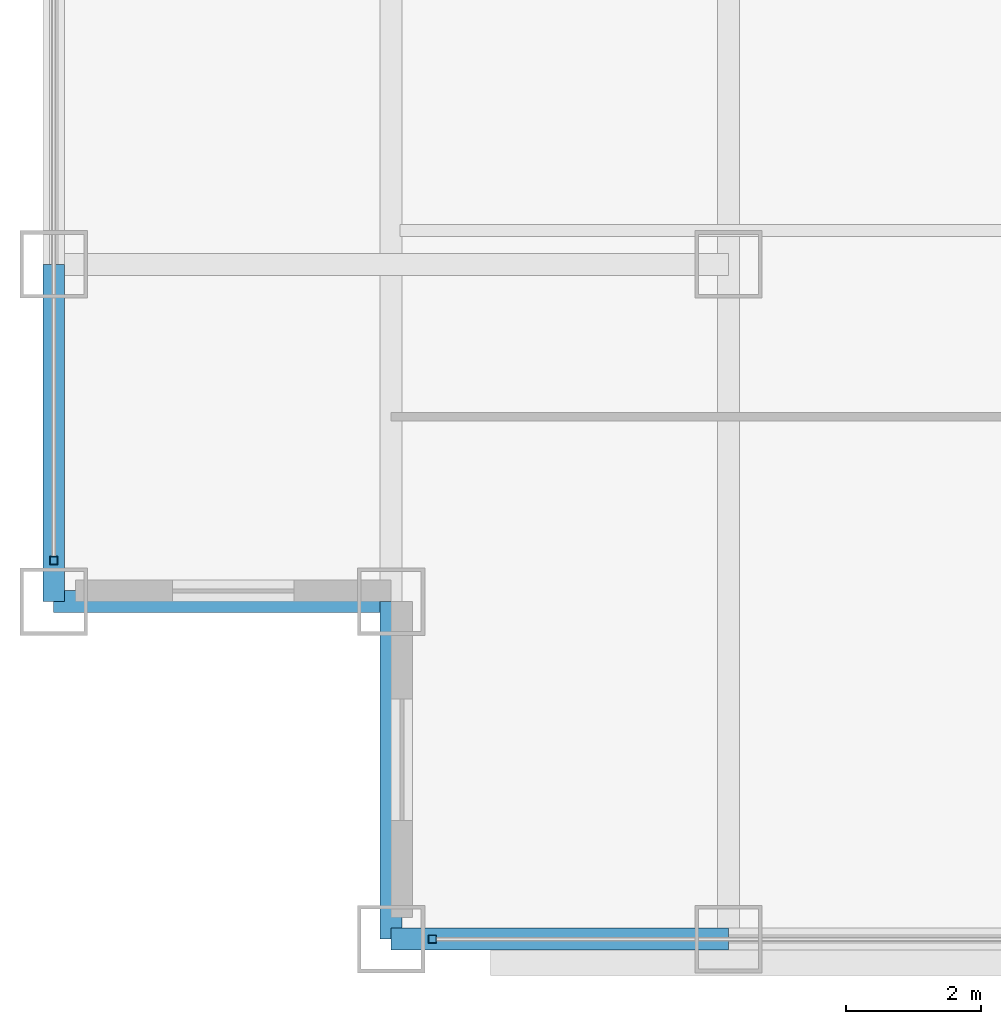
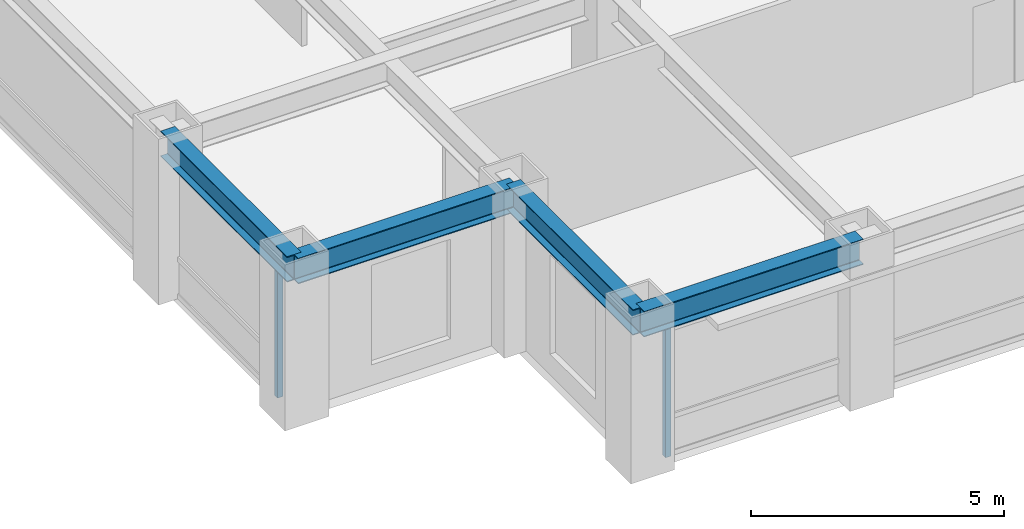
# One storey, part 2 of 29: 4 beams, 2 members, 2 elements without a shape of their own.
"""IFC4 building model written with IfcOpenShell, lengths in metres."""

from ifc_helpers import new_model, si_unit, direction, frame, origin, origin_2d, place, context, subcontext, project, spatial, hollow_rectangle, i_section, extrude, source, transform, mapped, material, material_profile, profile_set, type_object, element, aggregate, save


model = new_model("IFC4")

# Units and contexts
model_context = context("Model", 3, precision=1e-05, world=origin(), true_north=direction((0.0, 1.0)))
body_context = subcontext(model_context, "Body", "Model", "MODEL_VIEW")
ifc_project = project(units=[si_unit("LENGTHUNIT", "METRE"), si_unit("AREAUNIT", "SQUARE_METRE"), si_unit("VOLUMEUNIT", "CUBIC_METRE"), si_unit("PLANEANGLEUNIT", "RADIAN"), si_unit("MASSUNIT", "GRAM", prefix="KILO")], contexts=[model_context])

# Site, building, storey
site_placement = place(None, origin())
site = spatial("IfcSite", under=ifc_project, at=site_placement, CompositionType="ELEMENT")
building_placement = place(site_placement, origin())
building = spatial("IfcBuilding", under=site, at=building_placement, Name="Khorayat Bourse Tower", CompositionType="ELEMENT")
storey_placement = place(building_placement, frame((0.0, 0.0, 243.10009765625)))
storey = spatial("IfcBuildingStorey", under=building, at=storey_placement, Name="L57", CompositionType="ELEMENT", Elevation=243.10009765625)

# Beams
ifc_material_1 = material(Name="Steel ASTM A992 Grade 50", Category="steel")
ifc_material_profile_1 = material_profile(ifc_material_1, i_section(OverallWidth=0.324951171875, OverallDepth=0.615966796875, WebThickness=0.013916015625, FlangeThickness=0.021484375, FilletRadius=0.01611328125, at=origin_2d()), Name="W610X174")
ifc_profile_set_1 = profile_set([ifc_material_profile_1], Name="Steel ASTM A992 Grade 50")
beam_type = type_object("IfcBeamType", Name="BM-SPAN-610", PredefinedType="SPANDREL", material=ifc_profile_set_1)
shared_shape_1 = source(origin(), body_context, "Body", "SweptSolid", [
    extrude(i_section(OverallWidth=0.324951171875, OverallDepth=0.615966796875, WebThickness=0.013916015625, FlangeThickness=0.021484375, FilletRadius=0.01611328125, at=origin_2d()), origin(), (0.0, 0.0, 1.0), 5.0),
])
for number, where, z_axis, x_axis, name in (
    (1, (-25.0, -30.0, 3.471923828125), (1.0, 0.0, 0.0), (0.0, 1.0, 0.0), "L57 BM-SPAN-610 BM-L57-SPN-024"),
    (2, (-30.0, -25.0, 3.471923828125), (0.0, 1.0, 0.0), (-1.0, 0.0, 0.0), "L57 BM-SPAN-610 BM-L57-SPN-061"),
    (3, (-30.0, -25.0, 3.471923828125), (1.0, 0.0, 0.0), (0.0, 1.0, 0.0), "L57 BM-SPAN-610 BM-L57-SPN-062"),
    (4, (-25.0, -30.0, 3.471923828125), (0.0, 1.0, 0.0), (-1.0, 0.0, 0.0), "L57 BM-SPAN-610 BM-L57-SPN-063"),
):
    element("IfcBeam", number, at=place(storey_placement, frame(where, z_axis=z_axis, x_axis=x_axis)), inside=storey, type_object=beam_type, Name=name, PredefinedType="SPANDREL", context=body_context, shape_type="MappedRepresentation", body=[
        mapped(shared_shape_1, transform((0.0, 0.0, 0.0), scale=1.0)),
    ])

# Curtain wall, member
ifc_material_2 = material(Name="Aluminium EN AW-6063 T6", Category="aluminium")
curtain_wall_type = type_object("IfcCurtainWallType", Name="CW-SYS-03", PredefinedType="NOTDEFINED", material=ifc_material_2)
curtain_wall_1_placement = place(storey_placement, origin())
curtain_wall_1 = element("IfcCurtainWall", 5, at=curtain_wall_1_placement, inside=storey, type_object=curtain_wall_type, Name="L57 Curtain Wall CW-L57-S1", PredefinedType="NOTDEFINED")
ifc_material_profile_2 = material_profile(ifc_material_2, hollow_rectangle(XDim=0.1201171875, YDim=0.1201171875, WallThickness=0.0048828125, at=origin_2d()), Name="ALU 120x120x5")
ifc_profile_set_2 = profile_set([ifc_material_profile_2], Name="Aluminium EN AW-6063 T6")
member_type = type_object("IfcMemberType", Name="CWM-VERT-120", PredefinedType="MULLION", material=ifc_profile_set_2)
shared_shape_2 = source(origin(), body_context, "Body", "SweptSolid", [
    extrude(hollow_rectangle(XDim=0.1201171875, YDim=0.1201171875, WallThickness=0.0048828125, at=origin_2d()), origin(), (0.0, 0.0, 1.0), 3.1298828125),
])
member_1_placement = place(storey_placement, frame((-24.389892578125, -30.0, 0.0), z_axis=(0.0, 0.0, 1.0), x_axis=(0.0, 1.0, 0.0)))
member_1 = element("IfcMember", 6, at=member_1_placement, type_object=member_type, Name="CW-L57-S1 Vertical Mullion 1", PredefinedType="MULLION", context=body_context, shape_type="MappedRepresentation", body=[
    mapped(shared_shape_2, transform((0.0, 0.0, 0.0), scale=1.0)),
])
aggregate(curtain_wall_1, [member_1])

curtain_wall_2_placement = place(storey_placement, origin())
curtain_wall_2 = element("IfcCurtainWall", 7, at=curtain_wall_2_placement, inside=storey, type_object=curtain_wall_type, Name="L57 Curtain Wall CW-L57-W1", PredefinedType="NOTDEFINED")
member_2_placement = place(storey_placement, frame((-30.0, -24.389892578125, 0.0), z_axis=(0.0, 0.0, 1.0), x_axis=(-1.0, 0.0, 0.0)))
member_2 = element("IfcMember", 8, at=member_2_placement, type_object=member_type, Name="CW-L57-W1 Vertical Mullion 1", PredefinedType="MULLION", context=body_context, shape_type="MappedRepresentation", body=[
    mapped(shared_shape_2, transform((0.0, 0.0, 0.0), scale=1.0)),
])
aggregate(curtain_wall_2, [member_2])

save(model, "model.ifc")
